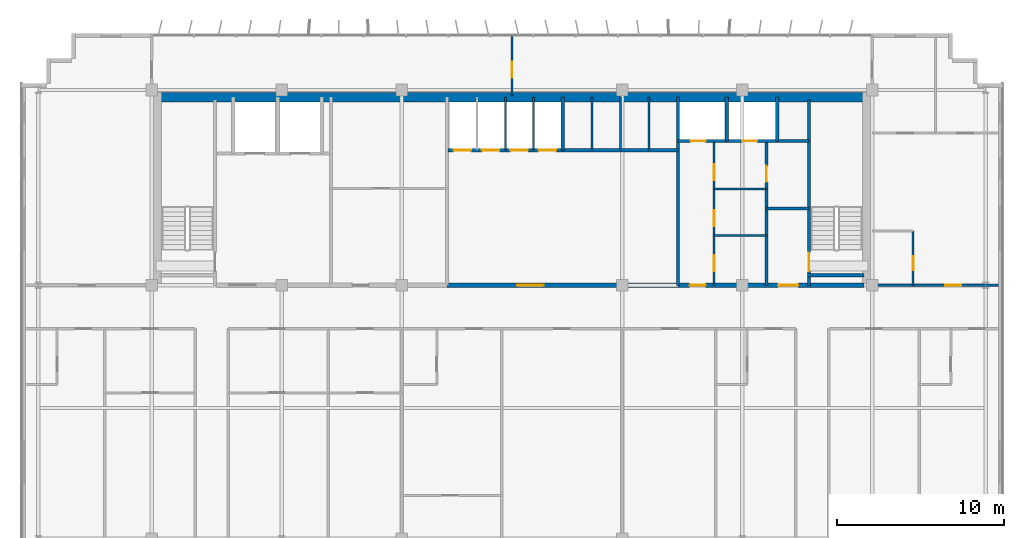
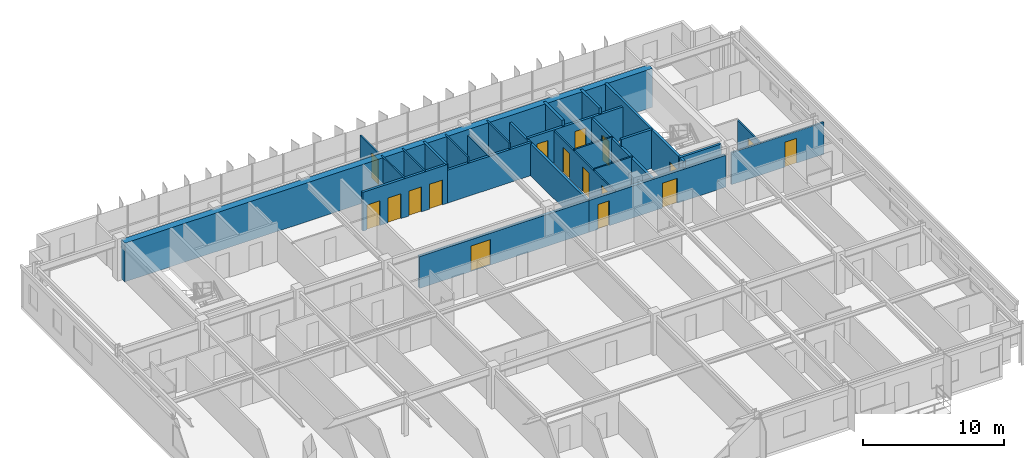
# One storey, part 18 of 21: 25 walls, 17 doors, 17 openings.
"""IFC4 building model written with IfcOpenShell, lengths in metres."""

import ifcopenshell
import ifcopenshell.guid

model = None  # the IFC model being written
_history = None  # IfcOwnerHistory: only IFC2X3 demands one
_inside = {}  # id of a spatial element -> (the spatial element, [elements in it])
_under = {}  # id of a project, library or spatial element -> (it, [spatial elements below it])
_declared = {}  # id of a project -> (the project, [libraries it declares])
_typed = {}  # id of a type object -> (the type object, [elements of that type])
_made_of = {}  # id of a material, layer set ... -> (it, [elements and type objects made of it])


def new_model(schema):
    """Start an empty IFC model of exactly this schema.

    Asked for "IFC4X3", IfcOpenShell would pick the latest addendum, in which some entities
    have other attributes; the version numbers below select the first issue.
    IFC2X3 requires an IfcOwnerHistory on every rooted entity: one is made here for all.
    """
    global model, _history
    if schema == "IFC4X3":
        model = ifcopenshell.file(schema_version=(4, 3, 0, 0))
    else:
        model = ifcopenshell.file(schema=schema)
    _inside.clear()
    _under.clear()
    _declared.clear()
    _typed.clear()
    _made_of.clear()
    _history = None
    if model.schema == "IFC2X3":
        org = make("IfcOrganization", Name="unknown")
        user = make(
            "IfcPersonAndOrganization",
            ThePerson=make("IfcPerson", FamilyName="unknown"),
            TheOrganization=org,
        )
        app = make(
            "IfcApplication",
            ApplicationDeveloper=org,
            Version="unknown",
            ApplicationFullName="unknown",
            ApplicationIdentifier="unknown",
        )
        _history = make(
            "IfcOwnerHistory",
            OwningUser=user,
            OwningApplication=app,
            ChangeAction="ADDED",
            CreationDate=0,
        )
    return model


def make(cls, **values):
    """One entity of the class cls with the attributes given. An attribute that is None is left unset."""
    return model.create_entity(
        cls, **{name: value for name, value in values.items() if value is not None}
    )


def rooted(cls, **values):
    """An entity with a GlobalId (a new one), such as an element, a storey or a relation."""
    return make(cls, GlobalId=ifcopenshell.guid.new(), OwnerHistory=_history, **values)


def si_unit(unit_type, name, prefix=None):
    """IfcSIUnit, for example si_unit("LENGTHUNIT", "METRE", prefix="MILLI")."""
    return make("IfcSIUnit", UnitType=unit_type, Prefix=prefix, Name=name)


def assignment(units):
    """IfcUnitAssignment: the units of a project."""
    return None if units is None else make("IfcUnitAssignment", Units=units)


def point(xyz):
    """IfcCartesianPoint."""
    return None if xyz is None else make("IfcCartesianPoint", Coordinates=xyz)


def direction(xyz):
    """IfcDirection."""
    return None if xyz is None else make("IfcDirection", DirectionRatios=xyz)


def frame(location, z_axis=None, x_axis=None):
    """IfcAxis2Placement3D, a coordinate frame: its origin and axes. An axis left out is left unset."""
    return make(
        "IfcAxis2Placement3D",
        Location=point(location),
        Axis=direction(z_axis),
        RefDirection=direction(x_axis),
    )


def frame_2d(location, x_axis=None):
    """IfcAxis2Placement2D, a coordinate frame in the plane: its origin and x axis."""
    return make(
        "IfcAxis2Placement2D", Location=point(location), RefDirection=direction(x_axis)
    )


def origin():
    """The frame at (0, 0, 0) with its axes left unset."""
    return frame((0.0, 0.0, 0.0))


def place(relative_to, where):
    """IfcLocalPlacement: puts the frame where relative to a parent placement (None: the world)."""
    return make(
        "IfcLocalPlacement", PlacementRelTo=relative_to, RelativePlacement=where
    )


def context(
    kind, dimensions, precision=None, world=None, true_north=None, identifier=None
):
    """IfcGeometricRepresentationContext, for example the 3D "Model" context."""
    return make(
        "IfcGeometricRepresentationContext",
        ContextIdentifier=identifier,
        ContextType=kind,
        CoordinateSpaceDimension=dimensions,
        Precision=precision,
        WorldCoordinateSystem=world,
        TrueNorth=true_north,
    )


def subcontext(parent, identifier, kind, view, scale=None):
    """IfcGeometricRepresentationSubContext, for example "Body" below "Model"."""
    return make(
        "IfcGeometricRepresentationSubContext",
        ContextIdentifier=identifier,
        ContextType=kind,
        ParentContext=parent,
        TargetScale=scale,
        TargetView=view,
    )


def project(units=None, contexts=None):
    """IfcProject with its units and contexts."""
    return rooted(
        "IfcProject",
        Name="project",
        RepresentationContexts=contexts,
        UnitsInContext=assignment(units),
    )


def spatial(cls, under=None, at=None, **own):
    """A site, building, storey or space (cls), placed at a placement, below another one or the project."""
    s = rooted(cls, ObjectPlacement=at, **own)
    if under is not None:
        _under.setdefault(under.id(), (under, []))[1].append(s)
    return s


def profile(cls, at=None, kind="AREA", **sizes):
    """A parametric profile (cls). Its sizes go by their IFC names, for example OverallWidth=200.0."""
    return make(cls, ProfileType=kind, Position=at, **sizes)


def rectangle(**sizes):
    """IfcRectangleProfileDef."""
    return profile("IfcRectangleProfileDef", **sizes)


def extrude(swept, where, along, depth):
    """IfcExtrudedAreaSolid: the profile swept, set in the frame where, extruded along a direction by depth."""
    return make(
        "IfcExtrudedAreaSolid",
        SweptArea=swept,
        Position=where,
        ExtrudedDirection=direction(along),
        Depth=depth,
    )


def shape(context_of_items, identifier, shape_type, items):
    """IfcShapeRepresentation: the items that make up one representation, for example the "Body"."""
    return make(
        "IfcShapeRepresentation",
        ContextOfItems=context_of_items,
        RepresentationIdentifier=identifier,
        RepresentationType=shape_type,
        Items=items,
    )


def source(mapping_origin, context_of_items, identifier, shape_type, items):
    """IfcRepresentationMap: a shape defined once, which mapped items show again and again."""
    return make(
        "IfcRepresentationMap",
        MappingOrigin=mapping_origin,
        MappedRepresentation=shape(context_of_items, identifier, shape_type, items),
    )


def transform(
    local_origin,
    x_axis=None,
    y_axis=None,
    z_axis=None,
    scale=None,
    scale2=None,
    scale3=None,
    uniform=True,
):
    """IfcCartesianTransformationOperator3D, or its non-uniform kind. x_axis, y_axis, z_axis: its Axis1, 2, 3."""
    if uniform:
        return make(
            "IfcCartesianTransformationOperator3D",
            Axis1=direction(x_axis),
            Axis2=direction(y_axis),
            LocalOrigin=point(local_origin),
            Scale=scale,
            Axis3=direction(z_axis),
        )
    return make(
        "IfcCartesianTransformationOperator3DnonUniform",
        Axis1=direction(x_axis),
        Axis2=direction(y_axis),
        LocalOrigin=point(local_origin),
        Scale=scale,
        Axis3=direction(z_axis),
        Scale2=scale2,
        Scale3=scale3,
    )


def mapped(mapping_source, mapping_target):
    """IfcMappedItem: shows the shape of a source again, moved by a transform."""
    return make(
        "IfcMappedItem", MappingSource=mapping_source, MappingTarget=mapping_target
    )


def material(Name=None, Category=None):
    """IfcMaterial."""
    return make("IfcMaterial", Name=Name, Category=Category)


def layer(
    of_material, thickness, ventilated=None, Name=None, Category=None, Priority=None
):
    """IfcMaterialLayer: one layer of a wall or slab, of a material (None: an air gap)."""
    return make(
        "IfcMaterialLayer",
        Material=of_material,
        LayerThickness=thickness,
        IsVentilated=ventilated,
        Name=Name,
        Category=Category,
        Priority=Priority,
    )


def layer_set(layers, Name=None):
    """IfcMaterialLayerSet."""
    return make("IfcMaterialLayerSet", MaterialLayers=layers, LayerSetName=Name)


def made_of(thing, what):
    """Note that an element or type object is made of a material, layer set ...; save() writes the relation."""
    if what is not None:
        _made_of.setdefault(what.id(), (what, []))[1].append(thing)
    return thing


def type_object(cls, material=None, **own):
    """A type object (cls), such as IfcWallType, which elements share."""
    return made_of(rooted(cls, **own), material)


def element(
    cls,
    number,
    at=None,
    inside=None,
    cuts=None,
    type_object=None,
    material=None,
    context=None,
    identifier="Body",
    shape_type=None,
    held_by="IfcProductDefinitionShape",
    body=None,
    shapes=None,
    **own,
):
    """One element of the class cls, such as IfcWall. Its Tag is "e" and its number.

    at: its placement. inside: the storey or other place that contains it. cuts: it is an
    opening in that element (IfcRelVoidsElement). A single representation is given by context,
    identifier, shape_type and body (its items); several are given by shapes. held_by: the class
    of the entity that holds the representations. save() writes the other relations.
    """
    e = rooted(cls, Tag="e%d" % number, ObjectPlacement=at, **own)
    if body is not None:
        shapes = [shape(context, identifier, shape_type, body)]
    if shapes is not None:
        e.Representation = make(held_by, Representations=shapes)
    if inside is not None:
        _inside.setdefault(inside.id(), (inside, []))[1].append(e)
    if cuts is not None:
        rooted(
            "IfcRelVoidsElement", RelatingBuildingElement=cuts, RelatedOpeningElement=e
        )
    if type_object is not None:
        _typed.setdefault(type_object.id(), (type_object, []))[1].append(e)
    return made_of(e, material)


def fill(opening, filler):
    """IfcRelFillsElement: the door or window that sits in an opening."""
    return rooted(
        "IfcRelFillsElement",
        RelatingOpeningElement=opening,
        RelatedBuildingElement=filler,
    )


def aggregate(whole, parts):
    """IfcRelAggregates: a whole, such as a stair, and the parts it consists of."""
    return rooted("IfcRelAggregates", RelatingObject=whole, RelatedObjects=parts)


def save(model, path):
    """Write the relations noted so far, then the file.

    IfcRelAggregates (storeys below a building ...), IfcRelContainedInSpatialStructure (elements
    in a storey), IfcRelDefinesByType, IfcRelAssociatesMaterial and IfcRelDeclares: one each for
    every whole, place, type object, material and project.
    """
    for whole, parts in _under.values():
        aggregate(whole, parts)
    for where, things in _inside.values():
        rooted(
            "IfcRelContainedInSpatialStructure",
            RelatedElements=things,
            RelatingStructure=where,
        )
    for kind, things in _typed.values():
        rooted("IfcRelDefinesByType", RelatedObjects=things, RelatingType=kind)
    for what, things in _made_of.values():
        rooted("IfcRelAssociatesMaterial", RelatedObjects=things, RelatingMaterial=what)
    for by, libraries in _declared.values():
        rooted("IfcRelDeclares", RelatingContext=by, RelatedDefinitions=libraries)
    model.write(path)


model = new_model("IFC4")

# Units and contexts
model_context = context("Model", 3, precision=1e-05, world=origin(), true_north=direction((0.0, 1.0)))
body_context = subcontext(model_context, "Body", "Model", "MODEL_VIEW")
ifc_project = project(units=[si_unit("LENGTHUNIT", "METRE"), si_unit("AREAUNIT", "SQUARE_METRE"), si_unit("VOLUMEUNIT", "CUBIC_METRE"), si_unit("PLANEANGLEUNIT", "RADIAN"), si_unit("MASSUNIT", "GRAM", prefix="KILO")], contexts=[model_context])

# Site, building, storey
site_placement = place(None, origin())
site = spatial("IfcSite", under=ifc_project, at=site_placement, CompositionType="ELEMENT")
building_placement = place(site_placement, origin())
building = spatial("IfcBuilding", under=site, at=building_placement, Name="Trelvane Seafront Commons", CompositionType="ELEMENT")
storey_placement = place(building_placement, frame((0.0, 0.0, 153.699951171875)))
storey = spatial("IfcBuildingStorey", under=building, at=storey_placement, Name="L40", CompositionType="ELEMENT", Elevation=153.699951171875)

# Wall, opening, door
ifc_material_1 = material(Name="Concrete C40/50", Category="concrete")
ifc_layer_1 = layer(ifc_material_1, 0.199951171875, Name="ARCH-WALL-FIRE200")
ifc_layer_set_1 = layer_set([ifc_layer_1], Name="Concrete C40/50")
wall_type_1 = type_object("IfcWallType", Name="ARCH-WALL-FIRE200", PredefinedType="PARTITIONING", material=ifc_layer_set_1)
wall_1_placement = place(storey_placement, frame((52.449951171875, 33.39990234375, 0.0), z_axis=(0.0, 0.0, 1.0), x_axis=(0.0, 1.0, 0.0)))
wall_1 = element("IfcWall", 1, at=wall_1_placement, inside=storey, type_object=wall_type_1, Name="W-L40-ST2V-W-031", PredefinedType="PARTITIONING", context=body_context, shape_type="SweptSolid", body=[
    extrude(rectangle(XDim=8.650146484375, YDim=0.199951171875, at=frame_2d((4.3251953125, 0.0))), origin(), (0.0, 0.0, 1.0), 2.75),
])
opening_1_placement = place(wall_1_placement, frame((6.199951171875, 0.0, 0.0)))
opening_1 = element("IfcOpeningElement", 2, at=opening_1_placement, cuts=wall_1, Name="Opening FD-L40-15", PredefinedType="OPENING", context=body_context, shape_type="SweptSolid", body=[
    extrude(rectangle(XDim=0.949951171875, YDim=2.14990234375, at=frame_2d((0.47509765625, 1.074951171875))), frame((0.0, 0.10986328125, 0.0), z_axis=(0.0, -1.0, 0.0), x_axis=(1.0, 0.0, 0.0)), (0.0, 0.0, 1.0), 0.219970703125),
])
ifc_material_2 = material(Name="Powder-coated aluminium frame", Category="aluminium")
door_type_1 = type_object("IfcDoorType", Name="ARCH-DR-FD60-950", OperationType="NOTDEFINED", PredefinedType="DOOR", material=ifc_material_2)
shared_shape_1 = source(origin(), body_context, "Body", "SweptSolid", [
    extrude(rectangle(XDim=0.949951171875, YDim=2.14990234375, at=frame_2d((0.47509765625, 1.074951171875))), frame((0.0, 0.02490234375, 0.0), z_axis=(0.0, -1.0, 0.0), x_axis=(1.0, 0.0, 0.0)), (0.0, 0.0, 1.0), 0.050048828125),
])
door_1_placement = place(opening_1_placement, origin())
door_1 = element("IfcDoor", 3, at=door_1_placement, inside=storey, type_object=door_type_1, Name="L40 Cleaner Store Door", OperationType="SINGLE_SWING_LEFT", OverallHeight=2.14990234375, OverallWidth=0.949951171875, PredefinedType="DOOR", context=body_context, shape_type="MappedRepresentation", body=[
    mapped(shared_shape_1, transform((0.0, 0.0, 0.0), x_axis=(1.0, 0.0, 0.0), y_axis=(0.0, 1.0, 0.0), z_axis=(0.0, 0.0, 1.0), scale=1.0)),
])
fill(opening_1, door_1)

# Wall
wall_2_placement = place(storey_placement, frame((52.449951171875, 38.0, 0.0), z_axis=(0.0, 0.0, 1.0), x_axis=(1.0, 0.0, 0.0)))
element("IfcWall", 4, at=wall_2_placement, inside=storey, type_object=wall_type_1, Name="W-L40-ST2V-N-032", PredefinedType="PARTITIONING", context=body_context, shape_type="SweptSolid", body=[
    extrude(rectangle(XDim=2.550048828125, YDim=0.199951171875, at=frame_2d((1.27490234375, 0.0))), origin(), (0.0, 0.0, 1.0), 3.35009765625),
])

# Wall, opening, door
ifc_layer_2 = layer(ifc_material_1, 0.25, Name="ARCH-WALL-FIRE250")
ifc_layer_set_2 = layer_set([ifc_layer_2], Name="Concrete C40/50")
wall_type_2 = type_object("IfcWallType", Name="ARCH-WALL-FIRE250", PredefinedType="PARTITIONING", material=ifc_layer_set_2)
wall_3_placement = place(storey_placement, frame((33.300048828125, 33.39990234375, 0.0), z_axis=(0.0, 0.0, 1.0), x_axis=(1.0, 0.0, 0.0)))
wall_3 = element("IfcWall", 5, at=wall_3_placement, inside=storey, type_object=wall_type_2, Name="W-L40-CS-PAX-027", PredefinedType="PARTITIONING", context=body_context, shape_type="SweptSolid", body=[
    extrude(rectangle(XDim=13.849853515625, YDim=0.25, at=frame_2d((6.9248046875, 0.0))), origin(), (0.0, 0.0, 1.0), 2.75),
])
opening_2_placement = place(wall_3_placement, frame((4.199951171875, 0.0, 0.0)))
opening_2 = element("IfcOpeningElement", 6, at=opening_2_placement, cuts=wall_3, Name="Opening FD-L40-12", PredefinedType="OPENING", context=body_context, shape_type="SweptSolid", body=[
    extrude(rectangle(XDim=1.60009765625, YDim=2.199951171875, at=frame_2d((0.800048828125, 1.10009765625))), frame((0.0, 0.135009765625, 0.0), z_axis=(0.0, -1.0, 0.0), x_axis=(1.0, 0.0, 0.0)), (0.0, 0.0, 1.0), 0.27001953125),
])
door_type_2 = type_object("IfcDoorType", Name="ARCH-DR-FD60-1600", OperationType="DOUBLE_DOOR_SINGLE_SWING", PredefinedType="DOOR", material=ifc_material_2)
shared_shape_2 = source(origin(), body_context, "Body", "SweptSolid", [
    extrude(rectangle(XDim=1.60009765625, YDim=2.199951171875, at=frame_2d((0.800048828125, 1.10009765625))), frame((0.0, 0.02490234375, 0.0), z_axis=(0.0, -1.0, 0.0), x_axis=(1.0, 0.0, 0.0)), (0.0, 0.0, 1.0), 0.050048828125),
])
door_2_placement = place(opening_2_placement, origin())
door_2 = element("IfcDoor", 7, at=door_2_placement, inside=storey, type_object=door_type_2, Name="L40 Passenger Lift Lobby Double Door", OperationType="DOUBLE_DOOR_SINGLE_SWING", OverallHeight=2.199951171875, OverallWidth=1.60009765625, PredefinedType="DOOR", context=body_context, shape_type="MappedRepresentation", body=[
    mapped(shared_shape_2, transform((0.0, 0.0, 0.0), x_axis=(1.0, 0.0, 0.0), y_axis=(0.0, 1.0, 0.0), z_axis=(0.0, 0.0, 1.0), scale=1.0)),
])
fill(opening_2, door_2)

# Wall, openings, doors
wall_4_placement = place(storey_placement, frame((47.14990234375, 33.39990234375, 0.0), z_axis=(0.0, 0.0, 1.0), x_axis=(1.0, 0.0, 0.0)))
wall_4 = element("IfcWall", 8, at=wall_4_placement, inside=storey, type_object=wall_type_2, Name="W-L40-CS-EAST-036", PredefinedType="PARTITIONING", context=body_context, shape_type="SweptSolid", body=[
    extrude(rectangle(XDim=11.150146484375, YDim=0.25, at=frame_2d((5.5751953125, 0.0))), origin(), (0.0, 0.0, 1.0), 2.75),
])
opening_3_placement = place(wall_4_placement, frame((0.699951171875, 0.0, 0.0)))
opening_3 = element("IfcOpeningElement", 9, at=opening_3_placement, cuts=wall_4, Name="Opening FD-L40-19", PredefinedType="OPENING", context=body_context, shape_type="SweptSolid", body=[
    extrude(rectangle(XDim=0.949951171875, YDim=2.14990234375, at=frame_2d((0.47509765625, 1.074951171875))), frame((0.0, 0.135009765625, 0.0), z_axis=(0.0, -1.0, 0.0), x_axis=(1.0, 0.0, 0.0)), (0.0, 0.0, 1.0), 0.27001953125),
])
opening_4_placement = place(wall_4_placement, frame((6.0, 0.0, 0.0)))
opening_4 = element("IfcOpeningElement", 10, at=opening_4_placement, cuts=wall_4, Name="Opening FD-L40-20", PredefinedType="OPENING", context=body_context, shape_type="SweptSolid", body=[
    extrude(rectangle(XDim=1.199951171875, YDim=2.14990234375, at=frame_2d((0.60009765625, 1.074951171875))), frame((0.0, 0.135009765625, 0.0), z_axis=(0.0, -1.0, 0.0), x_axis=(1.0, 0.0, 0.0)), (0.0, 0.0, 1.0), 0.27001953125),
])
door_3_placement = place(opening_3_placement, origin())
door_3 = element("IfcDoor", 11, at=door_3_placement, inside=storey, type_object=door_type_1, Name="L40 Core Service Lobby Door", OperationType="SINGLE_SWING_LEFT", OverallHeight=2.14990234375, OverallWidth=0.949951171875, PredefinedType="DOOR", context=body_context, shape_type="MappedRepresentation", body=[
    mapped(shared_shape_1, transform((0.0, 0.0, 0.0), x_axis=(1.0, 0.0, 0.0), y_axis=(0.0, 1.0, 0.0), z_axis=(0.0, 0.0, 1.0), scale=1.0)),
])
fill(opening_3, door_3)
door_type_3 = type_object("IfcDoorType", Name="ARCH-DR-FD60-1200", OperationType="NOTDEFINED", PredefinedType="DOOR", material=ifc_material_2)
shared_shape_3 = source(origin(), body_context, "Body", "SweptSolid", [
    extrude(rectangle(XDim=1.199951171875, YDim=2.14990234375, at=frame_2d((0.60009765625, 1.074951171875))), frame((0.0, 0.02490234375, 0.0), z_axis=(0.0, -1.0, 0.0), x_axis=(1.0, 0.0, 0.0)), (0.0, 0.0, 1.0), 0.050048828125),
])
door_4_placement = place(opening_4_placement, origin())
door_4 = element("IfcDoor", 12, at=door_4_placement, inside=storey, type_object=door_type_3, Name="L40 East Stair Vestibule Fire Door", OperationType="SINGLE_SWING_RIGHT", OverallHeight=2.14990234375, OverallWidth=1.199951171875, PredefinedType="DOOR", context=body_context, shape_type="MappedRepresentation", body=[
    mapped(shared_shape_3, transform((0.0, 0.0, 0.0), x_axis=(1.0, 0.0, 0.0), y_axis=(0.0, 1.0, 0.0), z_axis=(0.0, 0.0, 1.0), scale=1.0)),
])
fill(opening_4, door_4)

# Walls
ifc_material_3 = material(Name="Gypsum Drywall Acoustic Partition")
ifc_layer_3 = layer(ifc_material_3, 0.1201171875, Name="ARCH-WALL-PART120")
ifc_layer_set_3 = layer_set([ifc_layer_3], Name="Gypsum Drywall Acoustic Partition")
wall_type_3 = type_object("IfcWallType", Name="ARCH-WALL-PART120", PredefinedType="PARTITIONING", material=ifc_layer_set_3)
for number, where, z_axis, x_axis, name in (
    (13, (36.800048828125, 41.5, 0.0), (0.0, 0.0, 1.0), (0.0, 1.0, 0.0), "W-L40-PM-DIV2-018"),
    (14, (38.5, 41.5, 0.0), (0.0, 0.0, 1.0), (0.0, 1.0, 0.0), "W-L40-PM-DIV3-019"),
    (15, (42.0, 41.5, 0.0), (0.0, 0.0, 1.0), (0.0, 1.0, 0.0), "W-L40-PH-DIV1-022"),
):
    element("IfcWall", number, at=place(storey_placement, frame(where, z_axis=z_axis, x_axis=x_axis)), inside=storey, type_object=wall_type_3, Name=name, PredefinedType="PARTITIONING", context=body_context, shape_type="SweptSolid", body=[
        extrude(rectangle(XDim=3.199951171875, YDim=0.1201171875, at=frame_2d((1.60009765625, 0.0))), origin(), (0.0, 0.0, 1.0), 3.35009765625),
    ])
wall_5_placement = place(storey_placement, frame((43.699951171875, 41.5, 0.0), z_axis=(0.0, 0.0, 1.0), x_axis=(0.0, 1.0, 0.0)))
element("IfcWall", 16, at=wall_5_placement, inside=storey, type_object=wall_type_3, Name="W-L40-PH-DIV2-023", PredefinedType="PARTITIONING", context=body_context, shape_type="SweptSolid", body=[
    extrude(rectangle(XDim=3.199951171875, YDim=0.1201171875, at=frame_2d((1.60009765625, 0.0))), origin(), (0.0, 0.0, 1.0), 2.85009765625),
])
wall_6_placement = place(storey_placement, frame((45.39990234375, 41.5, 0.0), z_axis=(0.0, 0.0, 1.0), x_axis=(0.0, 1.0, 0.0)))
element("IfcWall", 17, at=wall_6_placement, inside=storey, type_object=wall_type_3, Name="W-L40-PH-DIV3-024", PredefinedType="PARTITIONING", context=body_context, shape_type="SweptSolid", body=[
    extrude(rectangle(XDim=3.199951171875, YDim=0.1201171875, at=frame_2d((1.60009765625, 0.0))), origin(), (0.0, 0.0, 1.0), 3.35009765625),
])

# Wall, openings, doors
wall_7_placement = place(storey_placement, frame((49.320068359375, 33.39990234375, 0.0), z_axis=(0.0, 0.0, 1.0), x_axis=(0.0, 1.0, 0.0)))
wall_7 = element("IfcWall", 18, at=wall_7_placement, inside=storey, type_object=wall_type_3, Name="W-L40-CYC3-V-033", PredefinedType="PARTITIONING", context=body_context, shape_type="SweptSolid", body=[
    extrude(rectangle(XDim=8.60009765625, YDim=0.1201171875, at=frame_2d((4.300048828125, 0.0))), origin(), (0.0, 0.0, 1.0), 2.75),
])
opening_5_placement = place(wall_7_placement, frame((0.85009765625, 0.0, 0.0)))
opening_5 = element("IfcOpeningElement", 19, at=opening_5_placement, cuts=wall_7, Name="Opening D-L40-16", PredefinedType="OPENING", context=body_context, shape_type="SweptSolid", body=[
    extrude(rectangle(XDim=0.949951171875, YDim=2.14990234375, at=frame_2d((0.47509765625, 1.074951171875))), frame((0.0, 0.070068359375, 0.0), z_axis=(0.0, -1.0, 0.0), x_axis=(1.0, 0.0, 0.0)), (0.0, 0.0, 1.0), 0.14013671875),
])
opening_6_placement = place(wall_7_placement, frame((3.550048828125, 0.0, 0.0)))
opening_6 = element("IfcOpeningElement", 20, at=opening_6_placement, cuts=wall_7, Name="Opening D-L40-17", PredefinedType="OPENING", context=body_context, shape_type="SweptSolid", body=[
    extrude(rectangle(XDim=0.949951171875, YDim=2.14990234375, at=frame_2d((0.47509765625, 1.074951171875))), frame((0.0, 0.070068359375, 0.0), z_axis=(0.0, -1.0, 0.0), x_axis=(1.0, 0.0, 0.0)), (0.0, 0.0, 1.0), 0.14013671875),
])
opening_7_placement = place(wall_7_placement, frame((6.300048828125, 0.0, 0.0)))
opening_7 = element("IfcOpeningElement", 21, at=opening_7_placement, cuts=wall_7, Name="Opening D-L40-18", PredefinedType="OPENING", context=body_context, shape_type="SweptSolid", body=[
    extrude(rectangle(XDim=0.949951171875, YDim=2.14990234375, at=frame_2d((0.47509765625, 1.074951171875))), frame((0.0, 0.070068359375, 0.0), z_axis=(0.0, -1.0, 0.0), x_axis=(1.0, 0.0, 0.0)), (0.0, 0.0, 1.0), 0.14013671875),
])
ifc_material_4 = material(Name="Acoustic timber door leaf", Category="wood")
door_type_4 = type_object("IfcDoorType", Name="ARCH-DR-INT950", OperationType="NOTDEFINED", PredefinedType="DOOR", material=ifc_material_4)
door_5_placement = place(opening_5_placement, origin())
door_5 = element("IfcDoor", 22, at=door_5_placement, inside=storey, type_object=door_type_4, Name="L40 Accessible WC Door", OperationType="SINGLE_SWING_RIGHT", OverallHeight=2.14990234375, OverallWidth=0.949951171875, PredefinedType="DOOR", context=body_context, shape_type="MappedRepresentation", body=[
    mapped(shared_shape_1, transform((0.0, 0.0, 0.0), x_axis=(1.0, 0.0, 0.0), y_axis=(0.0, 1.0, 0.0), z_axis=(0.0, 0.0, 1.0), scale=1.0)),
])
fill(opening_5, door_5)
door_6_placement = place(opening_6_placement, origin())
door_6 = element("IfcDoor", 23, at=door_6_placement, inside=storey, type_object=door_type_4, Name="L40 Staff WC Door", OperationType="SINGLE_SWING_LEFT", OverallHeight=2.14990234375, OverallWidth=0.949951171875, PredefinedType="DOOR", context=body_context, shape_type="MappedRepresentation", body=[
    mapped(shared_shape_1, transform((0.0, 0.0, 0.0), x_axis=(1.0, 0.0, 0.0), y_axis=(0.0, 1.0, 0.0), z_axis=(0.0, 0.0, 1.0), scale=1.0)),
])
fill(opening_6, door_6)
door_7_placement = place(opening_7_placement, origin())
door_7 = element("IfcDoor", 24, at=door_7_placement, inside=storey, type_object=door_type_4, Name="L40 Electrical Room Door", OperationType="SINGLE_SWING_RIGHT", OverallHeight=2.14990234375, OverallWidth=0.949951171875, PredefinedType="DOOR", context=body_context, shape_type="MappedRepresentation", body=[
    mapped(shared_shape_1, transform((0.0, 0.0, 0.0), x_axis=(1.0, 0.0, 0.0), y_axis=(0.0, 1.0, 0.0), z_axis=(0.0, 0.0, 1.0), scale=1.0)),
])
fill(opening_7, door_7)

# Walls
for number, where, z_axis, x_axis, name in (
    (25, (49.320068359375, 36.3798828125, 0.0), (0.0, 0.0, 1.0), (1.0, 0.0, 0.0), "W-L40-CYC3-H1-034"),
    (26, (49.320068359375, 39.179931640625, 0.0), (0.0, 0.0, 1.0), (1.0, 0.0, 0.0), "W-L40-CYC3-H2-035"),
):
    element("IfcWall", number, at=place(storey_placement, frame(where, z_axis=z_axis, x_axis=x_axis)), inside=storey, type_object=wall_type_3, Name=name, PredefinedType="PARTITIONING", context=body_context, shape_type="SweptSolid", body=[
        extrude(rectangle(XDim=3.1298828125, YDim=0.1201171875, at=frame_2d((1.56494140625, 0.0))), origin(), (0.0, 0.0, 1.0), 2.85009765625),
    ])

# Wall, opening, door
wall_8_placement = place(storey_placement, frame((61.25, 33.39990234375, 0.0), z_axis=(0.0, 0.0, 1.0), x_axis=(0.0, 1.0, 0.0)))
wall_8 = element("IfcWall", 27, at=wall_8_placement, inside=storey, type_object=wall_type_3, Name="W-L40-NE-BE-038", PredefinedType="PARTITIONING", context=body_context, shape_type="SweptSolid", body=[
    extrude(rectangle(XDim=3.25, YDim=0.1201171875, at=frame_2d((1.625, 0.0))), origin(), (0.0, 0.0, 1.0), 2.75),
])
opening_8_placement = place(wall_8_placement, frame((0.89990234375, 0.0, 0.0)))
opening_8 = element("IfcOpeningElement", 28, at=opening_8_placement, cuts=wall_8, Name="Opening D-L40-22", PredefinedType="OPENING", context=body_context, shape_type="SweptSolid", body=[
    extrude(rectangle(XDim=0.85009765625, YDim=2.10009765625, at=frame_2d((0.425048828125, 1.050048828125))), frame((0.0, 0.070068359375, 0.0), z_axis=(0.0, -1.0, 0.0), x_axis=(1.0, 0.0, 0.0)), (0.0, 0.0, 1.0), 0.14013671875),
])
door_type_5 = type_object("IfcDoorType", Name="ARCH-DR-INT850", OperationType="NOTDEFINED", PredefinedType="DOOR", material=ifc_material_4)
shared_shape_4 = source(origin(), body_context, "Body", "SweptSolid", [
    extrude(rectangle(XDim=0.85009765625, YDim=2.10009765625, at=frame_2d((0.425048828125, 1.050048828125))), frame((0.0, 0.02490234375, 0.0), z_axis=(0.0, -1.0, 0.0), x_axis=(1.0, 0.0, 0.0)), (0.0, 0.0, 1.0), 0.050048828125),
])
door_8_placement = place(opening_8_placement, origin())
door_8 = element("IfcDoor", 29, at=door_8_placement, inside=storey, type_object=door_type_5, Name="L40 Door 22", OperationType="SINGLE_SWING_RIGHT", OverallHeight=2.10009765625, OverallWidth=0.85009765625, PredefinedType="DOOR", context=body_context, shape_type="MappedRepresentation", body=[
    mapped(shared_shape_4, transform((0.0, 0.0, 0.0), x_axis=(1.0, 0.0, 0.0), y_axis=(0.0, 1.0, 0.0), z_axis=(0.0, 0.0, 1.0), scale=1.0)),
])
fill(opening_8, door_8)

wall_9_placement = place(storey_placement, frame((37.199951171875, 44.75, 0.0), z_axis=(0.0, 0.0, 1.0), x_axis=(0.0, 1.0, 0.0)))
wall_9 = element("IfcWall", 30, at=wall_9_placement, inside=storey, type_object=wall_type_3, Name="W-L40-N-MID-DV-044", PredefinedType="PARTITIONING", context=body_context, shape_type="SweptSolid", body=[
    extrude(rectangle(XDim=3.610107421875, YDim=0.1201171875, at=frame_2d((1.80517578125, 0.0))), origin(), (0.0, 0.0, 1.0), 2.75),
])
opening_9_placement = place(wall_9_placement, frame((1.10009765625, 0.0, 0.0)))
opening_9 = element("IfcOpeningElement", 31, at=opening_9_placement, cuts=wall_9, Name="Opening D-L40-26", PredefinedType="OPENING", context=body_context, shape_type="SweptSolid", body=[
    extrude(rectangle(XDim=0.949951171875, YDim=2.14990234375, at=frame_2d((0.47509765625, 1.074951171875))), frame((0.0, 0.070068359375, 0.0), z_axis=(0.0, -1.0, 0.0), x_axis=(1.0, 0.0, 0.0)), (0.0, 0.0, 1.0), 0.14013671875),
])
door_9_placement = place(opening_9_placement, origin())
door_9 = element("IfcDoor", 32, at=door_9_placement, inside=storey, type_object=door_type_4, Name="L40 Door 26", OperationType="SINGLE_SWING_RIGHT", OverallHeight=2.14990234375, OverallWidth=0.949951171875, PredefinedType="DOOR", context=body_context, shape_type="MappedRepresentation", body=[
    mapped(shared_shape_1, transform((0.0, 0.0, 0.0), x_axis=(1.0, 0.0, 0.0), y_axis=(0.0, 1.0, 0.0), z_axis=(0.0, 0.0, 1.0), scale=1.0)),
])
fill(opening_9, door_9)

ifc_layer_4 = layer(ifc_material_3, 0.14990234375, Name="ARCH-WALL-PART150")
ifc_layer_set_4 = layer_set([ifc_layer_4], Name="Gypsum Drywall Acoustic Partition")
wall_type_4 = type_object("IfcWallType", Name="ARCH-WALL-PART150", PredefinedType="PARTITIONING", material=ifc_layer_set_4)
wall_10_placement = place(storey_placement, frame((58.800048828125, 33.39990234375, 0.0), z_axis=(0.0, 0.0, 1.0), x_axis=(1.0, 0.0, 0.0)))
wall_10 = element("IfcWall", 33, at=wall_10_placement, inside=storey, type_object=wall_type_4, Name="W-L40-NE-ENT-043", PredefinedType="PARTITIONING", context=body_context, shape_type="SweptSolid", body=[
    extrude(rectangle(XDim=7.550048828125, YDim=0.14990234375, at=frame_2d((3.77490234375, 0.0))), origin(), (0.0, 0.0, 1.0), 2.75),
])
opening_10_placement = place(wall_10_placement, frame((4.375, 0.0, 0.0)))
opening_10 = element("IfcOpeningElement", 34, at=opening_10_placement, cuts=wall_10, Name="Opening FD-L40-25", PredefinedType="OPENING", context=body_context, shape_type="SweptSolid", body=[
    extrude(rectangle(XDim=0.949951171875, YDim=2.14990234375, at=frame_2d((0.47509765625, 1.074951171875))), frame((0.0, 0.0849609375, 0.0), z_axis=(0.0, -1.0, 0.0), x_axis=(1.0, 0.0, 0.0)), (0.0, 0.0, 1.0), 0.169921875),
])
door_10_placement = place(opening_10_placement, origin())
door_10 = element("IfcDoor", 35, at=door_10_placement, inside=storey, type_object=door_type_1, Name="L40 NE Flat Entrance Door", OperationType="SINGLE_SWING_LEFT", OverallHeight=2.14990234375, OverallWidth=0.949951171875, PredefinedType="DOOR", context=body_context, shape_type="MappedRepresentation", body=[
    mapped(shared_shape_1, transform((0.0, 0.0, 0.0), x_axis=(1.0, 0.0, 0.0), y_axis=(0.0, 1.0, 0.0), z_axis=(0.0, 0.0, 1.0), scale=1.0)),
])
fill(opening_10, door_10)

# Wall, openings, doors
ifc_layer_5 = layer(ifc_material_1, 0.199951171875, Name="ARCH-WALL-SHAFT200")
ifc_layer_set_5 = layer_set([ifc_layer_5], Name="Concrete C40/50")
wall_type_5 = type_object("IfcWallType", Name="ARCH-WALL-SHAFT200", PredefinedType="SOLIDWALL", material=ifc_layer_set_5)
wall_11_placement = place(storey_placement, frame((33.35009765625, 41.5, 0.0), z_axis=(0.0, 0.0, 1.0), x_axis=(1.0, 0.0, 0.0)))
wall_11 = element("IfcWall", 36, at=wall_11_placement, inside=storey, type_object=wall_type_5, Name="W-L40-PM-FRONT-016", PredefinedType="SOLIDWALL", context=body_context, shape_type="SweptSolid", body=[
    extrude(rectangle(XDim=6.89990234375, YDim=0.199951171875, at=frame_2d((3.449951171875, 0.0))), origin(), (0.0, 0.0, 1.0), 3.35009765625),
])
opening_11_placement = place(wall_11_placement, frame((0.35009765625, 0.0, 0.0)))
opening_11 = element("IfcOpeningElement", 37, at=opening_11_placement, cuts=wall_11, Name="Opening LD-PM1-L40", PredefinedType="OPENING", context=body_context, shape_type="SweptSolid", body=[
    extrude(rectangle(XDim=1.050048828125, YDim=2.14990234375, at=frame_2d((0.52490234375, 1.074951171875))), frame((0.0, 0.10986328125, 0.0), z_axis=(0.0, -1.0, 0.0), x_axis=(1.0, 0.0, 0.0)), (0.0, 0.0, 1.0), 0.219970703125),
])
opening_12_placement = place(wall_11_placement, frame((2.050048828125, 0.0, 0.0)))
opening_12 = element("IfcOpeningElement", 38, at=opening_12_placement, cuts=wall_11, Name="Opening LD-PM2-L40", PredefinedType="OPENING", context=body_context, shape_type="SweptSolid", body=[
    extrude(rectangle(XDim=1.050048828125, YDim=2.14990234375, at=frame_2d((0.52490234375, 1.074951171875))), frame((0.0, 0.10986328125, 0.0), z_axis=(0.0, -1.0, 0.0), x_axis=(1.0, 0.0, 0.0)), (0.0, 0.0, 1.0), 0.219970703125),
])
opening_13_placement = place(wall_11_placement, frame((3.75, 0.0, 0.0)))
opening_13 = element("IfcOpeningElement", 39, at=opening_13_placement, cuts=wall_11, Name="Opening LD-PM3-L40", PredefinedType="OPENING", context=body_context, shape_type="SweptSolid", body=[
    extrude(rectangle(XDim=1.050048828125, YDim=2.14990234375, at=frame_2d((0.52490234375, 1.074951171875))), frame((0.0, 0.10986328125, 0.0), z_axis=(0.0, -1.0, 0.0), x_axis=(1.0, 0.0, 0.0)), (0.0, 0.0, 1.0), 0.219970703125),
])
opening_14_placement = place(wall_11_placement, frame((5.449951171875, 0.0, 0.0)))
opening_14 = element("IfcOpeningElement", 40, at=opening_14_placement, cuts=wall_11, Name="Opening LD-PM4-L40", PredefinedType="OPENING", context=body_context, shape_type="SweptSolid", body=[
    extrude(rectangle(XDim=1.050048828125, YDim=2.14990234375, at=frame_2d((0.52490234375, 1.074951171875))), frame((0.0, 0.10986328125, 0.0), z_axis=(0.0, -1.0, 0.0), x_axis=(1.0, 0.0, 0.0)), (0.0, 0.0, 1.0), 0.219970703125),
])
ifc_material_5 = material(Name="Stainless steel balustrade", Category="steel")
door_type_6 = type_object("IfcDoorType", Name="ARCH-DR-LD1050", OperationType="DOUBLE_DOOR_SLIDING", PredefinedType="DOOR", material=ifc_material_5)
shared_shape_5 = source(origin(), body_context, "Body", "SweptSolid", [
    extrude(rectangle(XDim=1.050048828125, YDim=2.14990234375, at=frame_2d((0.52490234375, 1.074951171875))), frame((0.0, 0.02490234375, 0.0), z_axis=(0.0, -1.0, 0.0), x_axis=(1.0, 0.0, 0.0)), (0.0, 0.0, 1.0), 0.050048828125),
])
door_11_placement = place(opening_11_placement, origin())
door_11 = element("IfcDoor", 41, at=door_11_placement, inside=storey, type_object=door_type_6, Name="L40 Passenger Lift PM-1 Landing Door", OperationType="DOUBLE_DOOR_SLIDING", OverallHeight=2.14990234375, OverallWidth=1.050048828125, PredefinedType="DOOR", context=body_context, shape_type="MappedRepresentation", body=[
    mapped(shared_shape_5, transform((0.0, 0.0, 0.0), x_axis=(1.0, 0.0, 0.0), y_axis=(0.0, 1.0, 0.0), z_axis=(0.0, 0.0, 1.0), scale=1.0)),
])
fill(opening_11, door_11)
door_12_placement = place(opening_12_placement, origin())
door_12 = element("IfcDoor", 42, at=door_12_placement, inside=storey, type_object=door_type_6, Name="L40 Passenger Lift PM-2 Landing Door", OperationType="DOUBLE_DOOR_SLIDING", OverallHeight=2.14990234375, OverallWidth=1.050048828125, PredefinedType="DOOR", context=body_context, shape_type="MappedRepresentation", body=[
    mapped(shared_shape_5, transform((0.0, 0.0, 0.0), x_axis=(1.0, 0.0, 0.0), y_axis=(0.0, 1.0, 0.0), z_axis=(0.0, 0.0, 1.0), scale=1.0)),
])
fill(opening_12, door_12)
door_13_placement = place(opening_13_placement, origin())
door_13 = element("IfcDoor", 43, at=door_13_placement, inside=storey, type_object=door_type_6, Name="L40 Passenger Lift PM-3 Landing Door", OperationType="DOUBLE_DOOR_SLIDING", OverallHeight=2.14990234375, OverallWidth=1.050048828125, PredefinedType="DOOR", context=body_context, shape_type="MappedRepresentation", body=[
    mapped(shared_shape_5, transform((0.0, 0.0, 0.0), x_axis=(1.0, 0.0, 0.0), y_axis=(0.0, 1.0, 0.0), z_axis=(0.0, 0.0, 1.0), scale=1.0)),
])
fill(opening_13, door_13)
door_14_placement = place(opening_14_placement, origin())
door_14 = element("IfcDoor", 44, at=door_14_placement, inside=storey, type_object=door_type_6, Name="L40 Passenger Lift PM-4 Landing Door", OperationType="DOUBLE_DOOR_SLIDING", OverallHeight=2.14990234375, OverallWidth=1.050048828125, PredefinedType="DOOR", context=body_context, shape_type="MappedRepresentation", body=[
    mapped(shared_shape_5, transform((0.0, 0.0, 0.0), x_axis=(1.0, 0.0, 0.0), y_axis=(0.0, 1.0, 0.0), z_axis=(0.0, 0.0, 1.0), scale=1.0)),
])
fill(opening_14, door_14)

# Walls
wall_12_placement = place(storey_placement, frame((40.25, 41.5, 0.0), z_axis=(0.0, 0.0, 1.0), x_axis=(1.0, 0.0, 0.0)))
element("IfcWall", 45, at=wall_12_placement, inside=storey, type_object=wall_type_5, Name="W-L40-PH-FRONT-020", PredefinedType="SOLIDWALL", context=body_context, shape_type="SweptSolid", body=[
    extrude(rectangle(XDim=6.89990234375, YDim=0.199951171875, at=frame_2d((3.449951171875, 0.0))), origin(), (0.0, 0.0, 1.0), 2.85009765625),
])
wall_13_placement = place(storey_placement, frame((40.25, 41.5, 0.0), z_axis=(0.0, 0.0, 1.0), x_axis=(0.0, 1.0, 0.0)))
element("IfcWall", 46, at=wall_13_placement, inside=storey, type_object=wall_type_5, Name="W-L40-PH-WEST-SH-021", PredefinedType="SOLIDWALL", context=body_context, shape_type="SweptSolid", body=[
    extrude(rectangle(XDim=3.199951171875, YDim=0.199951171875, at=frame_2d((1.60009765625, 0.0))), origin(), (0.0, 0.0, 1.0), 3.35009765625),
])
wall_14_placement = place(storey_placement, frame((47.14990234375, 33.39990234375, 0.0), z_axis=(0.0, 0.0, 1.0), x_axis=(0.0, 1.0, 0.0)))
element("IfcWall", 47, at=wall_14_placement, inside=storey, type_object=wall_type_5, Name="W-L40-PH-EAST-025", PredefinedType="SOLIDWALL", context=body_context, shape_type="SweptSolid", body=[
    extrude(rectangle(XDim=11.300048828125, YDim=0.199951171875, at=frame_2d((5.64990234375, 0.0))), origin(), (0.0, 0.0, 1.0), 2.75),
])

# Wall, openings, doors
wall_15_placement = place(storey_placement, frame((47.14990234375, 42.050048828125, 0.0), z_axis=(0.0, 0.0, 1.0), x_axis=(1.0, 0.0, 0.0)))
wall_15 = element("IfcWall", 48, at=wall_15_placement, inside=storey, type_object=wall_type_5, Name="W-L40-RSR-S-028", PredefinedType="SOLIDWALL", context=body_context, shape_type="SweptSolid", body=[
    extrude(rectangle(XDim=7.85009765625, YDim=0.199951171875, at=frame_2d((3.925048828125, 0.0))), origin(), (0.0, 0.0, 1.0), 2.85009765625),
])
opening_15_placement = place(wall_15_placement, frame((0.75, 0.0, 0.0)))
opening_15 = element("IfcOpeningElement", 49, at=opening_15_placement, cuts=wall_15, Name="Opening FD-L40-13", PredefinedType="OPENING", context=body_context, shape_type="SweptSolid", body=[
    extrude(rectangle(XDim=0.89990234375, YDim=2.10009765625, at=frame_2d((0.449951171875, 1.050048828125))), frame((0.0, 0.10986328125, 0.0), z_axis=(0.0, -1.0, 0.0), x_axis=(1.0, 0.0, 0.0)), (0.0, 0.0, 1.0), 0.219970703125),
])
opening_16_placement = place(wall_15_placement, frame((3.85009765625, 0.0, 0.0)))
opening_16 = element("IfcOpeningElement", 50, at=opening_16_placement, cuts=wall_15, Name="Opening FD-L40-14", PredefinedType="OPENING", context=body_context, shape_type="SweptSolid", body=[
    extrude(rectangle(XDim=0.89990234375, YDim=2.10009765625, at=frame_2d((0.449951171875, 1.050048828125))), frame((0.0, 0.10986328125, 0.0), z_axis=(0.0, -1.0, 0.0), x_axis=(1.0, 0.0, 0.0)), (0.0, 0.0, 1.0), 0.219970703125),
])
door_type_7 = type_object("IfcDoorType", Name="ARCH-DR-FD60-900", OperationType="NOTDEFINED", PredefinedType="DOOR", material=ifc_material_2)
shared_shape_6 = source(origin(), body_context, "Body", "SweptSolid", [
    extrude(rectangle(XDim=0.89990234375, YDim=2.10009765625, at=frame_2d((0.449951171875, 1.050048828125))), frame((0.0, 0.02490234375, 0.0), z_axis=(0.0, -1.0, 0.0), x_axis=(1.0, 0.0, 0.0)), (0.0, 0.0, 1.0), 0.050048828125),
])
door_15_placement = place(opening_15_placement, origin())
door_15 = element("IfcDoor", 51, at=door_15_placement, inside=storey, type_object=door_type_7, Name="L40 Electrical Riser Access Door", OperationType="SINGLE_SWING_LEFT", OverallHeight=2.10009765625, OverallWidth=0.89990234375, PredefinedType="DOOR", context=body_context, shape_type="MappedRepresentation", body=[
    mapped(shared_shape_6, transform((0.0, 0.0, 0.0), x_axis=(1.0, 0.0, 0.0), y_axis=(0.0, 1.0, 0.0), z_axis=(0.0, 0.0, 1.0), scale=1.0)),
])
fill(opening_15, door_15)
door_16_placement = place(opening_16_placement, origin())
door_16 = element("IfcDoor", 52, at=door_16_placement, inside=storey, type_object=door_type_7, Name="L40 Mechanical Riser Access Door", OperationType="SINGLE_SWING_RIGHT", OverallHeight=2.10009765625, OverallWidth=0.89990234375, PredefinedType="DOOR", context=body_context, shape_type="MappedRepresentation", body=[
    mapped(shared_shape_6, transform((0.0, 0.0, 0.0), x_axis=(1.0, 0.0, 0.0), y_axis=(0.0, 1.0, 0.0), z_axis=(0.0, 0.0, 1.0), scale=1.0)),
])
fill(opening_16, door_16)

# Walls
for number, where, z_axis, x_axis, name in (
    (53, (50.080078125, 42.050048828125, 0.0), (0.0, 0.0, 1.0), (0.0, 1.0, 0.0), "W-L40-RSR-DIV-029"),
    (54, (53.10009765625, 42.050048828125, 0.0), (0.0, 0.0, 1.0), (0.0, 1.0, 0.0), "W-L40-RSR-E-030"),
):
    element("IfcWall", number, at=place(storey_placement, frame(where, z_axis=z_axis, x_axis=x_axis)), inside=storey, type_object=wall_type_5, Name=name, PredefinedType="SOLIDWALL", context=body_context, shape_type="SweptSolid", body=[
        extrude(rectangle(XDim=2.64990234375, YDim=0.199951171875, at=frame_2d((1.324951171875, 0.0))), origin(), (0.0, 0.0, 1.0), 3.35009765625),
    ])
ifc_material_6 = material(Name="Concrete C50/60", Category="concrete")
ifc_layer_6 = layer(ifc_material_6, 0.550048828125, Name="STR-WALL-CORE550")
ifc_layer_set_6 = layer_set([ifc_layer_6], Name="Concrete C50/60")
wall_type_6 = type_object("IfcWallType", Name="STR-WALL-CORE550", PredefinedType="SHEAR", material=ifc_layer_set_6)
wall_16_placement = place(storey_placement, frame((15.64990234375, 44.675048828125, 0.0), z_axis=(0.0, 0.0, 1.0), x_axis=(1.0, 0.0, 0.0)))
element("IfcWall", 55, at=wall_16_placement, inside=storey, type_object=wall_type_6, Name="W-L40-CN-ALL-001", PredefinedType="SHEAR", context=body_context, shape_type="SweptSolid", body=[
    extrude(rectangle(XDim=43.10009765625, YDim=0.550048828125, at=frame_2d((21.550048828125, 0.0))), origin(), (0.0, 0.0, 1.0), 3.35009765625),
])
ifc_layer_7 = layer(ifc_material_6, 0.199951171875, Name="STR-WALL-STAIR200")
ifc_layer_set_7 = layer_set([ifc_layer_7], Name="Concrete C50/60")
wall_type_7 = type_object("IfcWallType", Name="STR-WALL-STAIR200", PredefinedType="SHEAR", material=ifc_layer_set_7)
wall_17_placement = place(storey_placement, frame((54.89990234375, 34.0, 0.0), z_axis=(0.0, 0.0, 1.0), x_axis=(1.0, 0.0, 0.0)))
element("IfcWall", 56, at=wall_17_placement, inside=storey, type_object=wall_type_7, Name="W-L40-ST2-S-006", PredefinedType="SHEAR", context=body_context, shape_type="SweptSolid", body=[
    extrude(rectangle(XDim=3.400146484375, YDim=0.199951171875, at=frame_2d((1.7001953125, 0.0))), origin(), (0.0, 0.0, 1.0), 3.35009765625),
])

# Wall, opening, door
wall_18_placement = place(storey_placement, frame((55.0, 33.39990234375, 0.0), z_axis=(0.0, 0.0, 1.0), x_axis=(0.0, 1.0, 0.0)))
wall_18 = element("IfcWall", 57, at=wall_18_placement, inside=storey, type_object=wall_type_7, Name="W-L40-ST2-W-007", PredefinedType="SHEAR", context=body_context, shape_type="SweptSolid", body=[
    extrude(rectangle(XDim=11.10009765625, YDim=0.199951171875, at=frame_2d((5.550048828125, 0.0))), origin(), (0.0, 0.0, 1.0), 3.35009765625),
])
opening_17_placement = place(wall_18_placement, frame((0.85009765625, 0.0, 0.0)))
opening_17 = element("IfcOpeningElement", 58, at=opening_17_placement, cuts=wall_18, Name="Opening ST-D2-L40", PredefinedType="OPENING", context=body_context, shape_type="SweptSolid", body=[
    extrude(rectangle(XDim=1.10009765625, YDim=2.14990234375, at=frame_2d((0.550048828125, 1.074951171875))), frame((0.0, 0.10986328125, 0.0), z_axis=(0.0, -1.0, 0.0), x_axis=(1.0, 0.0, 0.0)), (0.0, 0.0, 1.0), 0.219970703125),
])
door_type_8 = type_object("IfcDoorType", Name="ARCH-DR-FD90-1100", OperationType="NOTDEFINED", PredefinedType="DOOR", material=ifc_material_2)
shared_shape_7 = source(origin(), body_context, "Body", "SweptSolid", [
    extrude(rectangle(XDim=1.10009765625, YDim=2.14990234375, at=frame_2d((0.550048828125, 1.074951171875))), frame((0.0, 0.02490234375, 0.0), z_axis=(0.0, -1.0, 0.0), x_axis=(1.0, 0.0, 0.0)), (0.0, 0.0, 1.0), 0.050048828125),
])
door_17_placement = place(opening_17_placement, origin())
door_17 = element("IfcDoor", 59, at=door_17_placement, inside=storey, type_object=door_type_8, Name="L40 Stair ST-2 Vestibule Fire Door", OperationType="SINGLE_SWING_RIGHT", OverallHeight=2.14990234375, OverallWidth=1.10009765625, PredefinedType="DOOR", context=body_context, shape_type="MappedRepresentation", body=[
    mapped(shared_shape_7, transform((0.0, 0.0, 0.0), x_axis=(1.0, 0.0, 0.0), y_axis=(0.0, 1.0, 0.0), z_axis=(0.0, 0.0, 1.0), scale=1.0)),
])
fill(opening_17, door_17)

save(model, "model.ifc")
